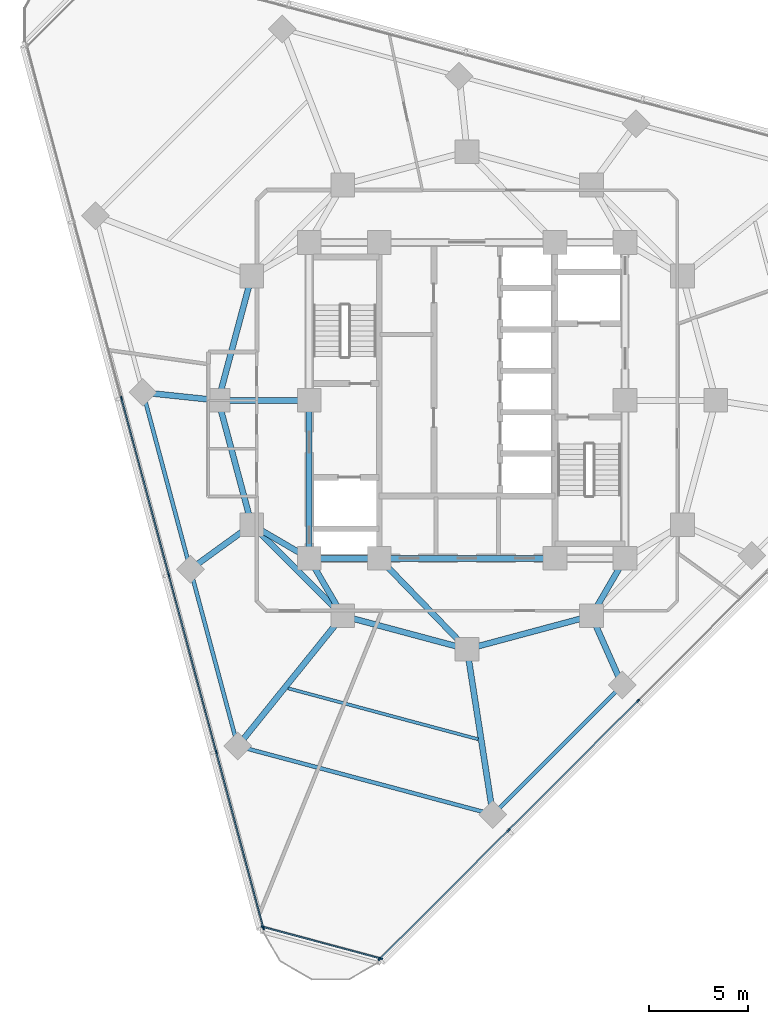
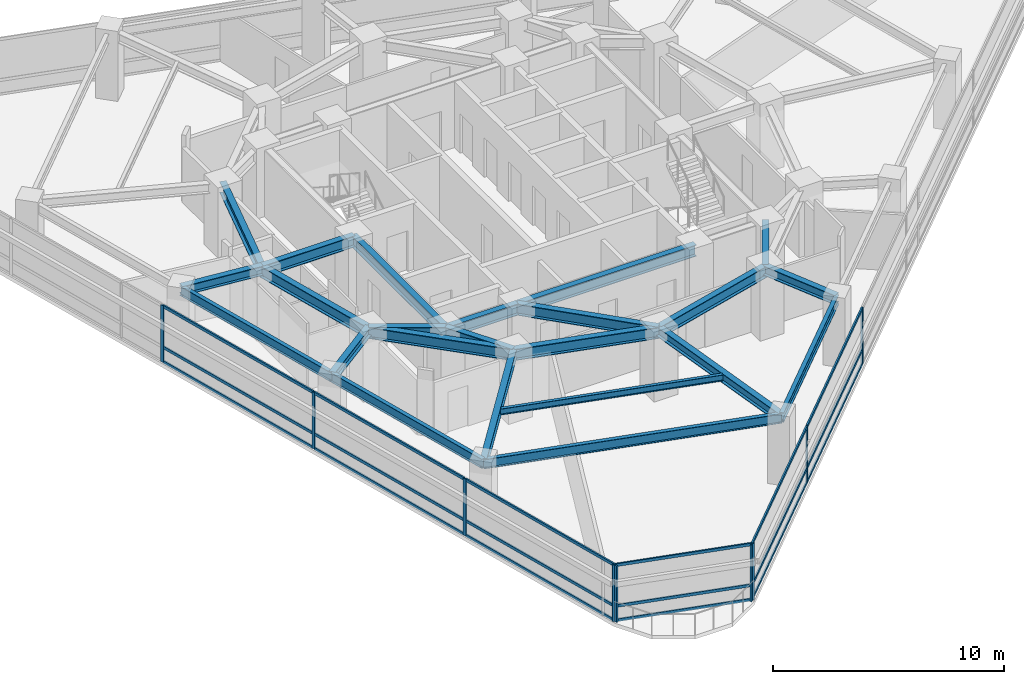
# One storey, part 2 of 13: 27 members, 23 beams, 3 elements without a shape of their own.
"""IFC4 building model written with IfcOpenShell, lengths in metres."""

from ifc_helpers import new_model, si_unit, direction, frame, origin, origin_2d, place, context, subcontext, project, spatial, rectangle, i_section, extrude, material, layer, layer_set, material_profile, profile_set, type_object, element, aggregate, save


model = new_model("IFC4")

# Units and contexts
model_context = context("Model", 3, precision=1e-05, world=origin(), true_north=direction((0.0, 1.0)))
body_context = subcontext(model_context, "Body", "Model", "MODEL_VIEW")
ifc_project = project(units=[si_unit("LENGTHUNIT", "METRE"), si_unit("AREAUNIT", "SQUARE_METRE"), si_unit("VOLUMEUNIT", "CUBIC_METRE"), si_unit("PLANEANGLEUNIT", "RADIAN"), si_unit("MASSUNIT", "GRAM", prefix="KILO")], contexts=[model_context])

# Site, building, storey
site_placement = place(None, origin())
site = spatial("IfcSite", under=ifc_project, at=site_placement, CompositionType="ELEMENT")
building_placement = place(site_placement, origin())
building = spatial("IfcBuilding", under=site, at=building_placement, Name="Terralouvre Media Tower", CompositionType="ELEMENT")
storey_placement = place(building_placement, frame((0.0, 0.0, 199.0)))
storey = spatial("IfcBuildingStorey", under=building, at=storey_placement, Name="L51", CompositionType="ELEMENT", Elevation=199.0)

# Beam
ifc_material_1 = material(Name="Structural steel S355J2", Category="steel")
ifc_material_profile_1 = material_profile(ifc_material_1, i_section(OverallWidth=0.159912109375, OverallDepth=0.330078125, WebThickness=0.007568359375, FlangeThickness=0.011474609375, at=origin_2d()), Name="IPE 330")
ifc_profile_set_1 = profile_set([ifc_material_profile_1], Name="Structural steel S355J2")
beam_type_1 = type_object("IfcBeamType", Name="Composite Floor Joist J-IPE330 (IPE 330)", PredefinedType="JOIST", material=ifc_profile_set_1)
beam_1_placement = place(storey_placement, frame((-9.067626953125, -14.58349609375, 3.3349609375), z_axis=(0.965923672222, -0.258827084055, 0.0), x_axis=(0.258827084055, 0.965923672222, 0.0)))
element("IfcBeam", 1, at=beam_1_placement, inside=storey, type_object=beam_type_1, Name="L51 Framing Beam JT-L51-01", PredefinedType="JOIST", context=body_context, shape_type="SweptSolid", body=[
    extrude(i_section(OverallWidth=0.159912109375, OverallDepth=0.330078125, WebThickness=0.007568359375, FlangeThickness=0.011474609375, at=origin_2d()), origin(), (0.0, 0.0, 1.0), 9.96826171875),
])

# Curtain wall, members
ifc_material_2 = material(Name="Low-iron laminated double glazing with solar-control coating", Category="glass")
ifc_layer_1 = layer(ifc_material_2, 0.1650390625, Name="Production Studio Tower Curtain Wall CW-03")
ifc_layer_set_1 = layer_set([ifc_layer_1], Name="Low-iron laminated double glazing with solar-control coating")
curtain_wall_type_1 = type_object("IfcCurtainWallType", Name="Production Studio Tower Curtain Wall CW-03", PredefinedType="NOTDEFINED", material=ifc_layer_set_1)
curtain_wall_1_placement = place(storey_placement, origin())
curtain_wall_1 = element("IfcCurtainWall", 2, at=curtain_wall_1_placement, inside=storey, type_object=curtain_wall_type_1, Name="L51 Facade Curtain Wall F0", PredefinedType="NOTDEFINED")
ifc_material_3 = material(Name="Anodised extruded aluminium 6063-T6", Category="aluminium")
ifc_material_profile_2 = material_profile(ifc_material_3, rectangle(XDim=0.074951171875, YDim=0.14990234375, at=origin_2d()), Name="ALU 75x150")
ifc_profile_set_2 = profile_set([ifc_material_profile_2], Name="Anodised extruded aluminium 6063-T6")
member_type_1 = type_object("IfcMemberType", Name="Curtain-Wall Horizontal Transom TR-150", PredefinedType="USERDEFINED", material=ifc_profile_set_2)
member_1_placement = place(storey_placement, frame((-4.399658203125, -28.27587890625, 0.03759765625), z_axis=(0.707106781187, 0.707106781187, 0.0), x_axis=(-0.707106781187, 0.707106781187, 0.0)))
member_1 = element("IfcMember", 3, at=member_1_placement, type_object=member_type_1, Name="CW-03 transom 1.1", ObjectType="TRANSOM", PredefinedType="USERDEFINED", context=body_context, shape_type="SweptSolid", body=[
    extrude(rectangle(XDim=0.074951171875, YDim=0.14990234375, at=origin_2d()), origin(), (0.0, 0.0, 1.0), 9.15966796875),
])
member_2_placement = place(storey_placement, frame((-4.399658203125, -28.27587890625, 0.800048828125), z_axis=(0.707106781187, 0.707106781187, 0.0), x_axis=(-0.707106781187, 0.707106781187, 0.0)))
member_2 = element("IfcMember", 4, at=member_2_placement, type_object=member_type_1, Name="CW-03 transom 1.2", ObjectType="TRANSOM", PredefinedType="USERDEFINED", context=body_context, shape_type="SweptSolid", body=[
    extrude(rectangle(XDim=0.074951171875, YDim=0.14990234375, at=origin_2d()), origin(), (0.0, 0.0, 1.0), 9.15966796875),
])
member_3_placement = place(storey_placement, frame((-4.399658203125, -28.27587890625, 2.96240234375), z_axis=(0.707106781187, 0.707106781187, 0.0), x_axis=(-0.707106781187, 0.707106781187, 0.0)))
member_3 = element("IfcMember", 5, at=member_3_placement, type_object=member_type_1, Name="CW-03 transom 1.3", ObjectType="TRANSOM", PredefinedType="USERDEFINED", context=body_context, shape_type="SweptSolid", body=[
    extrude(rectangle(XDim=0.074951171875, YDim=0.14990234375, at=origin_2d()), origin(), (0.0, 0.0, 1.0), 9.15966796875),
])
member_4_placement = place(storey_placement, frame((2.130126953125, -21.74609375, 0.03759765625), z_axis=(0.707093508293, 0.707120053831, 0.0), x_axis=(-0.707120053831, 0.707093508293, 0.0)))
member_4 = element("IfcMember", 6, at=member_4_placement, type_object=member_type_1, Name="CW-03 transom 2.1", ObjectType="TRANSOM", PredefinedType="USERDEFINED", context=body_context, shape_type="SweptSolid", body=[
    extrude(rectangle(XDim=0.074951171875, YDim=0.14990234375, at=origin_2d()), origin(), (0.0, 0.0, 1.0), 9.197021484375),
])
member_5_placement = place(storey_placement, frame((2.130126953125, -21.74609375, 0.800048828125), z_axis=(0.707093508293, 0.707120053831, 0.0), x_axis=(-0.707120053831, 0.707093508293, 0.0)))
member_5 = element("IfcMember", 7, at=member_5_placement, type_object=member_type_1, Name="CW-03 transom 2.2", ObjectType="TRANSOM", PredefinedType="USERDEFINED", context=body_context, shape_type="SweptSolid", body=[
    extrude(rectangle(XDim=0.074951171875, YDim=0.14990234375, at=origin_2d()), origin(), (0.0, 0.0, 1.0), 9.197021484375),
])
member_6_placement = place(storey_placement, frame((2.130126953125, -21.74609375, 2.96240234375), z_axis=(0.707093508293, 0.707120053831, 0.0), x_axis=(-0.707120053831, 0.707093508293, 0.0)))
member_6 = element("IfcMember", 8, at=member_6_placement, type_object=member_type_1, Name="CW-03 transom 2.3", ObjectType="TRANSOM", PredefinedType="USERDEFINED", context=body_context, shape_type="SweptSolid", body=[
    extrude(rectangle(XDim=0.074951171875, YDim=0.14990234375, at=origin_2d()), origin(), (0.0, 0.0, 1.0), 9.197021484375),
])

curtain_wall_2_placement = place(storey_placement, origin())
curtain_wall_2 = element("IfcCurtainWall", 9, at=curtain_wall_2_placement, inside=storey, type_object=curtain_wall_type_1, Name="L51 Facade Curtain Wall F2", PredefinedType="NOTDEFINED")
member_7_placement = place(storey_placement, frame((-17.497802734375, 0.072265625, 0.03759765625), z_axis=(0.25881569625, -0.965926723605, 0.0), x_axis=(0.965926723605, 0.25881569625, 0.0)))
member_7 = element("IfcMember", 10, at=member_7_placement, type_object=member_type_1, Name="CW-03 transom 3.1", ObjectType="TRANSOM", PredefinedType="USERDEFINED", context=body_context, shape_type="SweptSolid", body=[
    extrude(rectangle(XDim=0.074951171875, YDim=0.14990234375, at=origin_2d()), origin(), (0.0, 0.0, 1.0), 9.197265625),
])
member_8_placement = place(storey_placement, frame((-17.497802734375, 0.072265625, 0.800048828125), z_axis=(0.25881569625, -0.965926723605, 0.0), x_axis=(0.965926723605, 0.25881569625, 0.0)))
member_8 = element("IfcMember", 11, at=member_8_placement, type_object=member_type_1, Name="CW-03 transom 3.2", ObjectType="TRANSOM", PredefinedType="USERDEFINED", context=body_context, shape_type="SweptSolid", body=[
    extrude(rectangle(XDim=0.074951171875, YDim=0.14990234375, at=origin_2d()), origin(), (0.0, 0.0, 1.0), 9.197265625),
])
member_9_placement = place(storey_placement, frame((-17.497802734375, 0.072265625, 2.96240234375), z_axis=(0.25881569625, -0.965926723605, 0.0), x_axis=(0.965926723605, 0.25881569625, 0.0)))
member_9 = element("IfcMember", 12, at=member_9_placement, type_object=member_type_1, Name="CW-03 transom 3.3", ObjectType="TRANSOM", PredefinedType="USERDEFINED", context=body_context, shape_type="SweptSolid", body=[
    extrude(rectangle(XDim=0.074951171875, YDim=0.14990234375, at=origin_2d()), origin(), (0.0, 0.0, 1.0), 9.197265625),
])
member_10_placement = place(storey_placement, frame((-15.09814453125, -8.8837890625, 0.03759765625), z_axis=(0.25881569625, -0.965926723605, 0.0), x_axis=(0.965926723605, 0.25881569625, 0.0)))
member_10 = element("IfcMember", 13, at=member_10_placement, type_object=member_type_1, Name="CW-03 transom 4.1", ObjectType="TRANSOM", PredefinedType="USERDEFINED", context=body_context, shape_type="SweptSolid", body=[
    extrude(rectangle(XDim=0.074951171875, YDim=0.14990234375, at=origin_2d()), origin(), (0.0, 0.0, 1.0), 9.197265625),
])
member_11_placement = place(storey_placement, frame((-15.09814453125, -8.8837890625, 0.800048828125), z_axis=(0.25881569625, -0.965926723605, 0.0), x_axis=(0.965926723605, 0.25881569625, 0.0)))
member_11 = element("IfcMember", 14, at=member_11_placement, type_object=member_type_1, Name="CW-03 transom 4.2", ObjectType="TRANSOM", PredefinedType="USERDEFINED", context=body_context, shape_type="SweptSolid", body=[
    extrude(rectangle(XDim=0.074951171875, YDim=0.14990234375, at=origin_2d()), origin(), (0.0, 0.0, 1.0), 9.197265625),
])
member_12_placement = place(storey_placement, frame((-15.09814453125, -8.8837890625, 2.96240234375), z_axis=(0.25881569625, -0.965926723605, 0.0), x_axis=(0.965926723605, 0.25881569625, 0.0)))
member_12 = element("IfcMember", 15, at=member_12_placement, type_object=member_type_1, Name="CW-03 transom 4.3", ObjectType="TRANSOM", PredefinedType="USERDEFINED", context=body_context, shape_type="SweptSolid", body=[
    extrude(rectangle(XDim=0.074951171875, YDim=0.14990234375, at=origin_2d()), origin(), (0.0, 0.0, 1.0), 9.197265625),
])
member_13_placement = place(storey_placement, frame((-12.6982421875, -17.83984375, 0.03759765625), z_axis=(0.25881380313, -0.965927230856, 0.0), x_axis=(0.965927230856, 0.25881380313, 0.0)))
member_13 = element("IfcMember", 16, at=member_13_placement, type_object=member_type_1, Name="CW-03 transom 5.1", ObjectType="TRANSOM", PredefinedType="USERDEFINED", context=body_context, shape_type="SweptSolid", body=[
    extrude(rectangle(XDim=0.074951171875, YDim=0.14990234375, at=origin_2d()), origin(), (0.0, 0.0, 1.0), 9.159423828125),
])
member_14_placement = place(storey_placement, frame((-12.6982421875, -17.83984375, 0.800048828125), z_axis=(0.25881380313, -0.965927230856, 0.0), x_axis=(0.965927230856, 0.25881380313, 0.0)))
member_14 = element("IfcMember", 17, at=member_14_placement, type_object=member_type_1, Name="CW-03 transom 5.2", ObjectType="TRANSOM", PredefinedType="USERDEFINED", context=body_context, shape_type="SweptSolid", body=[
    extrude(rectangle(XDim=0.074951171875, YDim=0.14990234375, at=origin_2d()), origin(), (0.0, 0.0, 1.0), 9.159423828125),
])
member_15_placement = place(storey_placement, frame((-12.6982421875, -17.83984375, 2.96240234375), z_axis=(0.25881380313, -0.965927230856, 0.0), x_axis=(0.965927230856, 0.25881380313, 0.0)))
member_15 = element("IfcMember", 18, at=member_15_placement, type_object=member_type_1, Name="CW-03 transom 5.3", ObjectType="TRANSOM", PredefinedType="USERDEFINED", context=body_context, shape_type="SweptSolid", body=[
    extrude(rectangle(XDim=0.074951171875, YDim=0.14990234375, at=origin_2d()), origin(), (0.0, 0.0, 1.0), 9.159423828125),
])

ifc_material_4 = material(Name="Low-iron laminated double glazing with solar-control coating", Category="glass")
ifc_layer_2 = layer(ifc_material_4, 0.1650390625, Name="Rounded Wind-Corner Curved Glazing CW-04")
ifc_layer_set_2 = layer_set([ifc_layer_2], Name="Low-iron laminated double glazing with solar-control coating")
curtain_wall_type_2 = type_object("IfcCurtainWallType", Name="Rounded Wind-Corner Curved Glazing CW-04", PredefinedType="NOTDEFINED", material=ifc_layer_set_2)
curtain_wall_3_placement = place(storey_placement, origin())
curtain_wall_3 = element("IfcCurtainWall", 19, at=curtain_wall_3_placement, inside=storey, type_object=curtain_wall_type_2, Name="L51 Rounded Wind-Corner Curtain Wall C0", PredefinedType="NOTDEFINED")
member_16_placement = place(storey_placement, frame((-10.3154296875, -26.675048828125, 0.03759765625), z_axis=(0.965924368155, -0.25882448687, 0.0), x_axis=(0.25882448687, 0.965924368155, 0.0)))
member_16 = element("IfcMember", 20, at=member_16_placement, type_object=member_type_1, Name="CW-04 transom 1.1", ObjectType="TRANSOM", PredefinedType="USERDEFINED", context=body_context, shape_type="SweptSolid", body=[
    extrude(rectangle(XDim=0.074951171875, YDim=0.14990234375, at=origin_2d()), origin(), (0.0, 0.0, 1.0), 6.119873046875),
])
member_17_placement = place(storey_placement, frame((-10.3154296875, -26.675048828125, 0.800048828125), z_axis=(0.965924368155, -0.25882448687, 0.0), x_axis=(0.25882448687, 0.965924368155, 0.0)))
member_17 = element("IfcMember", 21, at=member_17_placement, type_object=member_type_1, Name="CW-04 transom 1.2", ObjectType="TRANSOM", PredefinedType="USERDEFINED", context=body_context, shape_type="SweptSolid", body=[
    extrude(rectangle(XDim=0.074951171875, YDim=0.14990234375, at=origin_2d()), origin(), (0.0, 0.0, 1.0), 6.119873046875),
])
member_18_placement = place(storey_placement, frame((-10.3154296875, -26.675048828125, 2.96240234375), z_axis=(0.965924368155, -0.25882448687, 0.0), x_axis=(0.25882448687, 0.965924368155, 0.0)))
member_18 = element("IfcMember", 22, at=member_18_placement, type_object=member_type_1, Name="CW-04 transom 1.3", ObjectType="TRANSOM", PredefinedType="USERDEFINED", context=body_context, shape_type="SweptSolid", body=[
    extrude(rectangle(XDim=0.074951171875, YDim=0.14990234375, at=origin_2d()), origin(), (0.0, 0.0, 1.0), 6.119873046875),
])

# Member
ifc_material_5 = material(Name="Anodised extruded aluminium 6063-T6", Category="aluminium")
ifc_material_profile_3 = material_profile(ifc_material_5, rectangle(XDim=0.074951171875, YDim=0.179931640625, at=origin_2d()), Name="ALU 75x180")
ifc_profile_set_3 = profile_set([ifc_material_profile_3], Name="Anodised extruded aluminium 6063-T6")
member_type_2 = type_object("IfcMemberType", Name="Curtain-Wall Vertical Mullion ML-180", PredefinedType="MULLION", material=ifc_profile_set_3)
member_19_placement = place(storey_placement, frame((-4.42626953125, -28.30224609375, 0.0), z_axis=(0.0, 0.0, 1.0), x_axis=(-0.707106781187, 0.707106781187, 0.0)))
member_19 = element("IfcMember", 23, at=member_19_placement, type_object=member_type_2, Name="CW-03 mullion 1", PredefinedType="MULLION", context=body_context, shape_type="SweptSolid", body=[
    extrude(rectangle(XDim=0.074951171875, YDim=0.179931640625, at=origin_2d()), origin(), (0.0, 0.0, 1.0), 3.0),
])

member_20_placement = place(storey_placement, frame((2.103515625, -21.7724609375, 0.0), z_axis=(0.0, 0.0, 1.0), x_axis=(-0.707106781187, 0.707106781187, 0.0)))
member_20 = element("IfcMember", 24, at=member_20_placement, type_object=member_type_2, Name="CW-03 mullion 2", PredefinedType="MULLION", context=body_context, shape_type="SweptSolid", body=[
    extrude(rectangle(XDim=0.074951171875, YDim=0.179931640625, at=origin_2d()), origin(), (0.0, 0.0, 1.0), 3.0),
])

member_21_placement = place(storey_placement, frame((8.659912109375, -15.21630859375, 0.0), z_axis=(0.0, 0.0, 1.0), x_axis=(-0.707106781187, 0.707106781187, 0.0)))
member_21 = element("IfcMember", 25, at=member_21_placement, type_object=member_type_2, Name="CW-03 mullion 3", PredefinedType="MULLION", context=body_context, shape_type="SweptSolid", body=[
    extrude(rectangle(XDim=0.074951171875, YDim=0.179931640625, at=origin_2d()), origin(), (0.0, 0.0, 1.0), 3.0),
])

aggregate(curtain_wall_1, [member_19, member_20, member_21, member_1, member_2, member_3, member_4, member_5, member_6])

member_22_placement = place(storey_placement, frame((-17.507568359375, 0.1083984375, 0.0), z_axis=(0.0, 0.0, 1.0), x_axis=(0.96592582942, 0.25881903342, 0.0)))
member_22 = element("IfcMember", 26, at=member_22_placement, type_object=member_type_2, Name="CW-03 mullion 3", PredefinedType="MULLION", context=body_context, shape_type="SweptSolid", body=[
    extrude(rectangle(XDim=0.074951171875, YDim=0.179931640625, at=origin_2d()), origin(), (0.0, 0.0, 1.0), 3.0),
])

member_23_placement = place(storey_placement, frame((-15.10791015625, -8.84765625, 0.0), z_axis=(0.0, 0.0, 1.0), x_axis=(0.96592582942, 0.25881903342, 0.0)))
member_23 = element("IfcMember", 27, at=member_23_placement, type_object=member_type_2, Name="CW-03 mullion 4", PredefinedType="MULLION", context=body_context, shape_type="SweptSolid", body=[
    extrude(rectangle(XDim=0.074951171875, YDim=0.179931640625, at=origin_2d()), origin(), (0.0, 0.0, 1.0), 3.0),
])

member_24_placement = place(storey_placement, frame((-12.7080078125, -17.8037109375, 0.0), z_axis=(0.0, 0.0, 1.0), x_axis=(0.96592582942, 0.25881903342, 0.0)))
member_24 = element("IfcMember", 28, at=member_24_placement, type_object=member_type_2, Name="CW-03 mullion 5", PredefinedType="MULLION", context=body_context, shape_type="SweptSolid", body=[
    extrude(rectangle(XDim=0.074951171875, YDim=0.179931640625, at=origin_2d()), origin(), (0.0, 0.0, 1.0), 3.0),
])

member_25_placement = place(storey_placement, frame((-10.31787109375, -26.7236328125, 0.0), z_axis=(0.0, 0.0, 1.0), x_axis=(0.96592582942, 0.25881903342, 0.0)))
member_25 = element("IfcMember", 29, at=member_25_placement, type_object=member_type_2, Name="CW-03 mullion 6", PredefinedType="MULLION", context=body_context, shape_type="SweptSolid", body=[
    extrude(rectangle(XDim=0.074951171875, YDim=0.179931640625, at=origin_2d()), origin(), (0.0, 0.0, 1.0), 3.0),
])

aggregate(curtain_wall_2, [member_22, member_23, member_24, member_25, member_7, member_8, member_9, member_10, member_11, member_12, member_13, member_14, member_15])

member_26_placement = place(storey_placement, frame((-10.351806640625, -26.665283203125, 0.0), z_axis=(0.0, 0.0, 1.0), x_axis=(0.258818728144, 0.965925911218, 0.0)))
member_26 = element("IfcMember", 30, at=member_26_placement, type_object=member_type_2, Name="CW-04 mullion 1", PredefinedType="MULLION", context=body_context, shape_type="SweptSolid", body=[
    extrude(rectangle(XDim=0.074951171875, YDim=0.179931640625, at=origin_2d()), origin(), (0.0, 0.0, 1.0), 3.0),
])

member_27_placement = place(storey_placement, frame((-4.367919921875, -28.268798828125, 0.0), z_axis=(0.0, 0.0, 1.0), x_axis=(0.258818728144, 0.965925911218, 0.0)))
member_27 = element("IfcMember", 31, at=member_27_placement, type_object=member_type_2, Name="CW-04 mullion 2", PredefinedType="MULLION", context=body_context, shape_type="SweptSolid", body=[
    extrude(rectangle(XDim=0.074951171875, YDim=0.179931640625, at=origin_2d()), origin(), (0.0, 0.0, 1.0), 3.0),
])

aggregate(curtain_wall_3, [member_26, member_27, member_16, member_17, member_18])

# Beams
ifc_material_6 = material(Name="Structural steel S355J2", Category="steel")
ifc_material_profile_4 = material_profile(ifc_material_6, i_section(OverallWidth=0.199951171875, OverallDepth=0.5, WebThickness=0.01025390625, FlangeThickness=0.01611328125, at=origin_2d()), Name="IPE 500")
ifc_profile_set_4 = profile_set([ifc_material_profile_4], Name="Structural steel S355J2")
beam_type_2 = type_object("IfcBeamType", Name="Perimeter Spandrel Beam SPB-500 (IPE 500)", PredefinedType="SPANDREL", material=ifc_profile_set_4)
beam_2_placement = place(storey_placement, frame((-14.016357421875, -8.55517578125, 3.25), z_axis=(0.258832601786, -0.965922193685, 0.0), x_axis=(0.965922193685, 0.258832601786, 0.0)))
element("IfcBeam", 32, at=beam_2_placement, inside=storey, type_object=beam_type_2, Name="L51 Framing Beam BM-L51-PR01", PredefinedType="SPANDREL", context=body_context, shape_type="SweptSolid", body=[
    extrude(i_section(OverallWidth=0.199951171875, OverallDepth=0.5, WebThickness=0.01025390625, FlangeThickness=0.01611328125, at=origin_2d()), origin(), (0.0, 0.0, 1.0), 9.27197265625),
])
beam_3_placement = place(storey_placement, frame((-11.616455078125, -17.51123046875, 3.25), z_axis=(0.965926789058, -0.258815451972, 0.0), x_axis=(0.258815451972, 0.965926789058, 0.0)))
element("IfcBeam", 33, at=beam_3_placement, inside=storey, type_object=beam_type_2, Name="L51 Framing Beam BM-L51-PR02", PredefinedType="SPANDREL", context=body_context, shape_type="SweptSolid", body=[
    extrude(i_section(OverallWidth=0.199951171875, OverallDepth=0.5, WebThickness=0.01025390625, FlangeThickness=0.01611328125, at=origin_2d()), origin(), (0.0, 0.0, 1.0), 13.376953125),
])
beam_4_placement = place(storey_placement, frame((1.3046875, -20.973388671875, 3.25), z_axis=(0.707106781187, 0.707106781187, 0.0), x_axis=(-0.707106781187, 0.707106781187, 0.0)))
element("IfcBeam", 34, at=beam_4_placement, inside=storey, type_object=beam_type_2, Name="L51 Framing Beam BM-L51-PR03", PredefinedType="SPANDREL", context=body_context, shape_type="SweptSolid", body=[
    extrude(i_section(OverallWidth=0.199951171875, OverallDepth=0.5, WebThickness=0.01025390625, FlangeThickness=0.01611328125, at=origin_2d()), origin(), (0.0, 0.0, 1.0), 9.271728515625),
])
beam_5_placement = place(storey_placement, frame((-16.416015625, 0.40087890625, 3.25), z_axis=(0.258808034669, -0.965928776458, 0.0), x_axis=(0.965928776458, 0.258808034669, 0.0)))
element("IfcBeam", 35, at=beam_5_placement, inside=storey, type_object=beam_type_2, Name="L51 Framing Beam BM-L51-PR12", PredefinedType="SPANDREL", context=body_context, shape_type="SweptSolid", body=[
    extrude(i_section(OverallWidth=0.199951171875, OverallDepth=0.5, WebThickness=0.01025390625, FlangeThickness=0.01611328125, at=origin_2d()), origin(), (0.0, 0.0, 1.0), 9.27197265625),
])
ifc_material_7 = material(Name="Structural steel S355J2", Category="steel")
ifc_material_profile_5 = material_profile(ifc_material_7, i_section(OverallWidth=0.300048828125, OverallDepth=0.5, WebThickness=0.014404296875, FlangeThickness=0.028076171875, at=origin_2d()), Name="HEB 500")
ifc_profile_set_5 = profile_set([ifc_material_profile_5], Name="Structural steel S355J2")
beam_type_3 = type_object("IfcBeamType", Name="Primary Floor Girder B-HEB500 (HEB 500)", PredefinedType="BEAM", material=ifc_profile_set_5)
beam_6_placement = place(storey_placement, frame((-10.911865234375, -6.300048828125, 3.25), z_axis=(-0.809068873767, -0.587713839807, 0.0), x_axis=(0.587713839807, -0.809068873767, 0.0)))
element("IfcBeam", 36, at=beam_6_placement, inside=storey, type_object=beam_type_3, Name="L51 Framing Beam BM-L51-RD01", PredefinedType="BEAM", context=body_context, shape_type="SweptSolid", body=[
    extrude(i_section(OverallWidth=0.300048828125, OverallDepth=0.5, WebThickness=0.014404296875, FlangeThickness=0.028076171875, at=origin_2d()), origin(), (0.0, 0.0, 1.0), 3.837158203125),
])
for number, where, z_axis, x_axis, name in (
    (37, (-6.300048828125, -10.911865234375, 3.25), (-0.62734749454, -0.778739443649, 0.0), (0.778739443649, -0.62734749454, 0.0), "L51 Framing Beam BM-L51-RD02"),
    (38, (0.0, -12.60009765625, 3.25), (0.153957660154, -0.988077445791, 0.0), (0.988077445791, 0.153957660154, 0.0), "L51 Framing Beam BM-L51-RD03"),
):
    element("IfcBeam", number, at=place(storey_placement, frame(where, z_axis=z_axis, x_axis=x_axis)), inside=storey, type_object=beam_type_3, Name=name, PredefinedType="BEAM", context=body_context, shape_type="SweptSolid", body=[
        extrude(i_section(OverallWidth=0.300048828125, OverallDepth=0.5, WebThickness=0.014404296875, FlangeThickness=0.028076171875, at=origin_2d()), origin(), (0.0, 0.0, 1.0), 8.474365234375),
    ])
beam_7_placement = place(storey_placement, frame((6.300048828125, -10.911865234375, 3.25), z_axis=(0.406758229915, -0.913535846257, 0.0), x_axis=(0.913535846257, 0.406758229915, 0.0)))
element("IfcBeam", 39, at=beam_7_placement, inside=storey, type_object=beam_type_3, Name="L51 Framing Beam BM-L51-RD04", PredefinedType="BEAM", context=body_context, shape_type="SweptSolid", body=[
    extrude(i_section(OverallWidth=0.300048828125, OverallDepth=0.5, WebThickness=0.014404296875, FlangeThickness=0.028076171875, at=origin_2d()), origin(), (0.0, 0.0, 1.0), 3.837158203125),
])
beam_8_placement = place(storey_placement, frame((-12.60009765625, 0.0, 3.25), z_axis=(-0.994527048272, 0.104479425033, 0.0), x_axis=(-0.104479425033, -0.994527048272, 0.0)))
element("IfcBeam", 40, at=beam_8_placement, inside=storey, type_object=beam_type_3, Name="L51 Framing Beam BM-L51-RD12", PredefinedType="BEAM", context=body_context, shape_type="SweptSolid", body=[
    extrude(i_section(OverallWidth=0.300048828125, OverallDepth=0.5, WebThickness=0.014404296875, FlangeThickness=0.028076171875, at=origin_2d()), origin(), (0.0, 0.0, 1.0), 3.8369140625),
])
ifc_material_8 = material(Name="Structural steel S460M", Category="steel")
ifc_material_profile_6 = material_profile(ifc_material_8, i_section(OverallWidth=0.300048828125, OverallDepth=0.60009765625, WebThickness=0.015380859375, FlangeThickness=0.030029296875, at=origin_2d()), Name="HEB 600")
ifc_profile_set_6 = profile_set([ifc_material_profile_6], Name="Structural steel S460M")
beam_type_4 = type_object("IfcBeamType", Name="Primary Floor Girder B-HEB600 (HEB 600)", PredefinedType="BEAM", material=ifc_profile_set_6)
beam_9_placement = place(storey_placement, frame((-8.0, -8.0, 3.199951171875), z_axis=(1.0, 0.0, 0.0), x_axis=(0.0, 1.0, 0.0)))
element("IfcBeam", 41, at=beam_9_placement, inside=storey, type_object=beam_type_4, Name="L51 Framing Beam BM-L51-CPR01", PredefinedType="BEAM", context=body_context, shape_type="SweptSolid", body=[
    extrude(i_section(OverallWidth=0.300048828125, OverallDepth=0.60009765625, WebThickness=0.015380859375, FlangeThickness=0.030029296875, at=origin_2d()), origin(), (0.0, 0.0, 1.0), 3.550048828125),
])
beam_10_placement = place(storey_placement, frame((-4.449951171875, -8.0, 3.199951171875), z_axis=(1.0, 0.0, 0.0), x_axis=(0.0, 1.0, 0.0)))
element("IfcBeam", 42, at=beam_10_placement, inside=storey, type_object=beam_type_4, Name="L51 Framing Beam BM-L51-CPR02", PredefinedType="BEAM", context=body_context, shape_type="SweptSolid", body=[
    extrude(i_section(OverallWidth=0.300048828125, OverallDepth=0.60009765625, WebThickness=0.015380859375, FlangeThickness=0.030029296875, at=origin_2d()), origin(), (0.0, 0.0, 1.0), 8.89990234375),
])
beam_11_placement = place(storey_placement, frame((-8.0, 0.0, 3.199951171875), z_axis=(0.0, -1.0, 0.0), x_axis=(1.0, 0.0, 0.0)))
element("IfcBeam", 43, at=beam_11_placement, inside=storey, type_object=beam_type_4, Name="L51 Framing Beam BM-L51-CPR10", PredefinedType="BEAM", context=body_context, shape_type="SweptSolid", body=[
    extrude(i_section(OverallWidth=0.300048828125, OverallDepth=0.60009765625, WebThickness=0.015380859375, FlangeThickness=0.030029296875, at=origin_2d()), origin(), (0.0, 0.0, 1.0), 8.0),
])
beam_12_placement = place(storey_placement, frame((-10.911865234375, -6.300048828125, 3.199951171875), z_axis=(0.707106781187, -0.707106781187, 0.0), x_axis=(0.707106781187, 0.707106781187, 0.0)))
element("IfcBeam", 44, at=beam_12_placement, inside=storey, type_object=beam_type_4, Name="L51 Framing Beam BM-L51-MR01", PredefinedType="BEAM", context=body_context, shape_type="SweptSolid", body=[
    extrude(i_section(OverallWidth=0.300048828125, OverallDepth=0.60009765625, WebThickness=0.015380859375, FlangeThickness=0.030029296875, at=origin_2d()), origin(), (0.0, 0.0, 1.0), 6.52197265625),
])
for number, where, z_axis, x_axis, name in (
    (45, (-6.300048828125, -10.911865234375, 3.199951171875), (0.965920481897, -0.258838989821, 0.0), (0.258838989821, 0.965920481897, 0.0), "L51 Framing Beam BM-L51-MR02"),
    (46, (0.0, -12.60009765625, 3.199951171875), (0.965920481897, 0.258838989821, 0.0), (-0.258838989821, 0.965920481897, 0.0), "L51 Framing Beam BM-L51-MR03"),
    (47, (-10.911865234375, 6.300048828125, 3.199951171875), (-0.258838989821, -0.965920481897, 0.0), (0.965920481897, -0.258838989821, 0.0), "L51 Framing Beam BM-L51-MR11"),
    (48, (-12.60009765625, 0.0, 3.199951171875), (0.258838989821, -0.965920481897, 0.0), (0.965920481897, 0.258838989821, 0.0), "L51 Framing Beam BM-L51-MR12"),
):
    element("IfcBeam", number, at=place(storey_placement, frame(where, z_axis=z_axis, x_axis=x_axis)), inside=storey, type_object=beam_type_4, Name=name, PredefinedType="BEAM", context=body_context, shape_type="SweptSolid", body=[
        extrude(i_section(OverallWidth=0.300048828125, OverallDepth=0.60009765625, WebThickness=0.015380859375, FlangeThickness=0.030029296875, at=origin_2d()), origin(), (0.0, 0.0, 1.0), 6.522216796875),
    ])
for number, where, z_axis, x_axis, name in (
    (49, (-8.0, -8.0, 3.199951171875), (-0.863602894532, 0.504172629717, 0.0), (-0.504172629717, -0.863602894532, 0.0), "L51 Framing Beam BM-L51-CM01"),
    (50, (-8.0, -8.0, 3.199951171875), (0.504172629717, -0.863602894532, 0.0), (0.863602894532, 0.504172629717, 0.0), "L51 Framing Beam BM-L51-CM02"),
):
    element("IfcBeam", number, at=place(storey_placement, frame(where, z_axis=z_axis, x_axis=x_axis)), inside=storey, type_object=beam_type_4, Name=name, PredefinedType="BEAM", context=body_context, shape_type="SweptSolid", body=[
        extrude(i_section(OverallWidth=0.300048828125, OverallDepth=0.60009765625, WebThickness=0.015380859375, FlangeThickness=0.030029296875, at=origin_2d()), origin(), (0.0, 0.0, 1.0), 3.371826171875),
    ])
beam_13_placement = place(storey_placement, frame((-4.449951171875, -8.0, 3.199951171875), z_axis=(0.695279715726, -0.718739255155, 0.0), x_axis=(0.718739255155, 0.695279715726, 0.0)))
element("IfcBeam", 51, at=beam_13_placement, inside=storey, type_object=beam_type_4, Name="L51 Framing Beam BM-L51-CM03", PredefinedType="BEAM", context=body_context, shape_type="SweptSolid", body=[
    extrude(i_section(OverallWidth=0.300048828125, OverallDepth=0.60009765625, WebThickness=0.015380859375, FlangeThickness=0.030029296875, at=origin_2d()), origin(), (0.0, 0.0, 1.0), 6.400146484375),
])
beam_14_placement = place(storey_placement, frame((8.0, -8.0, 3.199951171875), z_axis=(-0.504172629717, -0.863602894532, 0.0), x_axis=(0.863602894532, -0.504172629717, 0.0)))
element("IfcBeam", 52, at=beam_14_placement, inside=storey, type_object=beam_type_4, Name="L51 Framing Beam BM-L51-CM04", PredefinedType="BEAM", context=body_context, shape_type="SweptSolid", body=[
    extrude(i_section(OverallWidth=0.300048828125, OverallDepth=0.60009765625, WebThickness=0.015380859375, FlangeThickness=0.030029296875, at=origin_2d()), origin(), (0.0, 0.0, 1.0), 3.371826171875),
])
beam_15_placement = place(storey_placement, frame((-8.0, 0.0, 3.199951171875), z_axis=(-1.0, 0.0, 0.0), x_axis=(0.0, -1.0, 0.0)))
element("IfcBeam", 53, at=beam_15_placement, inside=storey, type_object=beam_type_4, Name="L51 Framing Beam BM-L51-CM12", PredefinedType="BEAM", context=body_context, shape_type="SweptSolid", body=[
    extrude(i_section(OverallWidth=0.300048828125, OverallDepth=0.60009765625, WebThickness=0.015380859375, FlangeThickness=0.030029296875, at=origin_2d()), origin(), (0.0, 0.0, 1.0), 4.60009765625),
])

save(model, "model.ifc")
